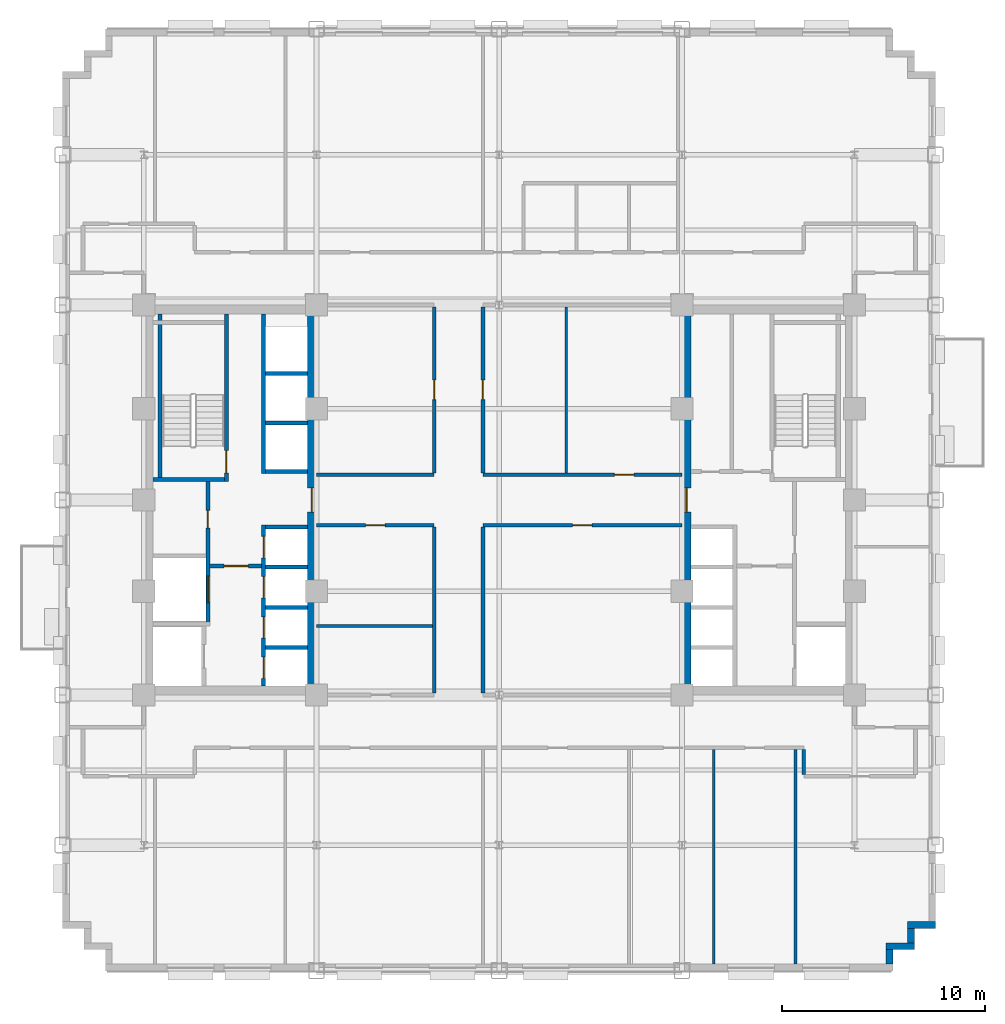
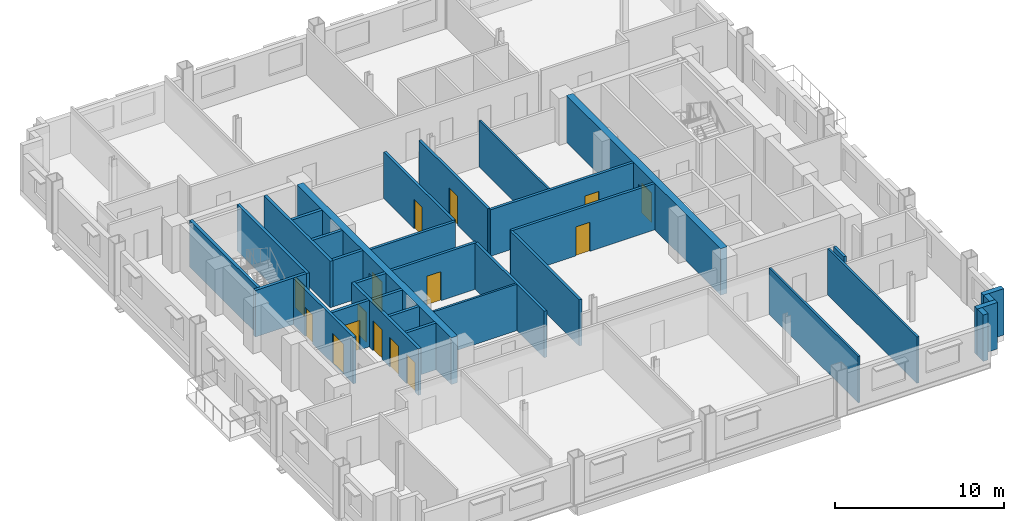
# One storey, part 7 of 14: 33 walls, 15 doors, 15 openings.
"""IFC4 building model written with IfcOpenShell, lengths in metres."""

from ifc_helpers import new_model, si_unit, direction, frame, frame_2d, origin, place, context, subcontext, project, spatial, rectangle, extrude, source, transform, mapped, material, layer, layer_set, type_object, type_shapes, element, fill, save


model = new_model("IFC4")

# Units and contexts
model_context = context("Model", 3, precision=1e-05, world=origin(), true_north=direction((0.0, 1.0)))
body_context = subcontext(model_context, "Body", "Model", "MODEL_VIEW")
ifc_project = project(units=[si_unit("LENGTHUNIT", "METRE"), si_unit("AREAUNIT", "SQUARE_METRE"), si_unit("VOLUMEUNIT", "CUBIC_METRE"), si_unit("PLANEANGLEUNIT", "RADIAN"), si_unit("MASSUNIT", "GRAM", prefix="KILO")], contexts=[model_context])

# Site, building, storey
site_placement = place(None, origin())
site = spatial("IfcSite", under=ifc_project, at=site_placement, CompositionType="ELEMENT")
building_placement = place(site_placement, origin())
building = spatial("IfcBuilding", under=site, at=building_placement, Name="Nuvemarco Arch Tower", CompositionType="ELEMENT")
storey_placement = place(building_placement, frame((0.0, 0.0, 56.800048828125)))
storey = spatial("IfcBuildingStorey", under=building, at=storey_placement, Name="L14", CompositionType="ELEMENT", Elevation=56.800048828125)

# Walls
ifc_material_1 = material(Name="Precast concrete C45/55", Category="concrete")
ifc_layer_1 = layer(ifc_material_1, 0.340087890625, Name="EW-LOW-340")
ifc_layer_set_1 = layer_set([ifc_layer_1], Name="Precast concrete C45/55")
wall_type_1 = type_object("IfcWallType", Name="EW-LOW-340", PredefinedType="STANDARD", material=ifc_layer_set_1)
wall_1_placement = place(storey_placement, frame((19.22998046875, -22.864013671875, 0.0), z_axis=(0.0, 0.0, 1.0), x_axis=(0.0, 1.0, 0.0)))
element("IfcWall", 1, at=wall_1_placement, inside=storey, type_object=wall_type_1, Name="L14 exterior precast facade wall 2", PredefinedType="STANDARD", context=body_context, shape_type="SweptSolid", body=[
    extrude(rectangle(XDim=0.718017578125, YDim=0.340087890625, at=frame_2d((0.35888671875, 0.0))), origin(), (0.0, 0.0, 1.0), 3.35986328125),
])
wall_2_placement = place(storey_placement, frame((19.06005859375, -21.97998046875, 0.0), z_axis=(0.0, 0.0, 1.0), x_axis=(1.0, 0.0, 0.0)))
element("IfcWall", 2, at=wall_2_placement, inside=storey, type_object=wall_type_1, Name="L14 exterior precast facade wall 3", PredefinedType="STANDARD", context=body_context, shape_type="SweptSolid", body=[
    extrude(rectangle(XDim=1.389892578125, YDim=0.340087890625, at=frame_2d((0.69482421875, 0.0))), origin(), (0.0, 0.0, 1.0), 3.35986328125),
])
wall_3_placement = place(storey_placement, frame((20.280029296875, -21.81396484375, 0.0), z_axis=(0.0, 0.0, 1.0), x_axis=(0.0, 1.0, 0.0)))
element("IfcWall", 3, at=wall_3_placement, inside=storey, type_object=wall_type_1, Name="L14 exterior precast facade wall 4", PredefinedType="STANDARD", context=body_context, shape_type="SweptSolid", body=[
    extrude(rectangle(XDim=0.718017578125, YDim=0.340087890625, at=frame_2d((0.35888671875, 0.0))), origin(), (0.0, 0.0, 1.0), 3.35986328125),
])
wall_4_placement = place(storey_placement, frame((20.110107421875, -20.929931640625, 0.0), z_axis=(0.0, 0.0, 1.0), x_axis=(1.0, 0.0, 0.0)))
element("IfcWall", 4, at=wall_4_placement, inside=storey, type_object=wall_type_1, Name="L14 exterior precast facade wall 5", PredefinedType="STANDARD", context=body_context, shape_type="SweptSolid", body=[
    extrude(rectangle(XDim=1.389892578125, YDim=0.340087890625, at=frame_2d((0.69482421875, 0.0))), origin(), (0.0, 0.0, 1.0), 3.35986328125),
])

# Wall, opening, door
ifc_material_2 = material(Name="Concrete C60/75", Category="concrete")
ifc_layer_2 = layer(ifc_material_2, 0.449951171875, Name="WL-CORE-450")
ifc_layer_set_2 = layer_set([ifc_layer_2], Name="Concrete C60/75")
wall_type_2 = type_object("IfcWallType", Name="WL-CORE-450", PredefinedType="SHEAR", material=ifc_layer_set_2)
wall_5_placement = place(storey_placement, frame((-9.22509765625, -9.155029296875, 0.0), z_axis=(0.0, 0.0, 1.0), x_axis=(0.0, 1.0, 0.0)))
wall_5 = element("IfcWall", 5, at=wall_5_placement, inside=storey, type_object=wall_type_2, Name="L14 W-core shear wall E", PredefinedType="SHEAR", context=body_context, shape_type="SweptSolid", body=[
    extrude(rectangle(XDim=18.31005859375, YDim=0.449951171875, at=frame_2d((9.155029296875, 0.0))), origin(), (0.0, 0.0, 1.0), 3.369873046875),
])
opening_1_placement = place(wall_5_placement, frame((8.554931640625, 0.0, 0.0)))
opening_1 = element("IfcOpeningElement", 6, at=opening_1_placement, cuts=wall_5, Name="Opening FD-2", PredefinedType="OPENING", context=body_context, shape_type="SweptSolid", body=[
    extrude(rectangle(XDim=1.199951171875, YDim=2.14990234375, at=frame_2d((0.60009765625, 1.074951171875))), frame((0.0, 0.23486328125, 0.0), z_axis=(0.0, -1.0, 0.0), x_axis=(1.0, 0.0, 0.0)), (0.0, 0.0, 1.0), 0.469970703125),
])
ifc_material_3 = material(Name="Anodised steel fire door", Category="steel")
door_type_1 = type_object("IfcDoorType", Name="DR-FFLOB-FD", OperationType="NOTDEFINED", PredefinedType="DOOR", material=ifc_material_3)
shared_shape_1 = source(origin(), body_context, "Body", "SweptSolid", [
    extrude(rectangle(XDim=1.199951171875, YDim=2.14990234375, at=frame_2d((0.60009765625, 1.074951171875))), frame((0.0, 0.02490234375, 0.0), z_axis=(0.0, -1.0, 0.0), x_axis=(1.0, 0.0, 0.0)), (0.0, 0.0, 1.0), 0.050048828125),
])
type_shapes(door_type_1, [shared_shape_1])
door_1_placement = place(opening_1_placement, origin())
door_1 = element("IfcDoor", 7, at=door_1_placement, inside=storey, type_object=door_type_1, Name="L14 door FD-L14-WCORE-E", OperationType="SINGLE_SWING_RIGHT", OverallHeight=2.14990234375, OverallWidth=1.199951171875, PredefinedType="DOOR", context=body_context, shape_type="MappedRepresentation", body=[
    mapped(shared_shape_1, transform((0.0, 0.0, 0.0), scale=1.0)),
])
fill(opening_1, door_1)

wall_6_placement = place(storey_placement, frame((9.22509765625, -9.155029296875, 0.0), z_axis=(0.0, 0.0, 1.0), x_axis=(0.0, 1.0, 0.0)))
wall_6 = element("IfcWall", 8, at=wall_6_placement, inside=storey, type_object=wall_type_2, Name="L14 E-core shear wall W", PredefinedType="SHEAR", context=body_context, shape_type="SweptSolid", body=[
    extrude(rectangle(XDim=18.31005859375, YDim=0.449951171875, at=frame_2d((9.155029296875, 0.0))), origin(), (0.0, 0.0, 1.0), 3.369873046875),
])
opening_2_placement = place(wall_6_placement, frame((8.554931640625, 0.0, 0.0)))
opening_2 = element("IfcOpeningElement", 9, at=opening_2_placement, cuts=wall_6, Name="Opening FD-2", PredefinedType="OPENING", context=body_context, shape_type="SweptSolid", body=[
    extrude(rectangle(XDim=1.199951171875, YDim=2.14990234375, at=frame_2d((0.60009765625, 1.074951171875))), frame((0.0, 0.23486328125, 0.0), z_axis=(0.0, -1.0, 0.0), x_axis=(1.0, 0.0, 0.0)), (0.0, 0.0, 1.0), 0.469970703125),
])
door_2_placement = place(opening_2_placement, origin())
door_2 = element("IfcDoor", 10, at=door_2_placement, inside=storey, type_object=door_type_1, Name="L14 door FD-L14-ECORE-W", OperationType="SINGLE_SWING_LEFT", OverallHeight=2.14990234375, OverallWidth=1.199951171875, PredefinedType="DOOR", context=body_context, shape_type="MappedRepresentation", body=[
    mapped(shared_shape_1, transform((0.0, 0.0, 0.0), scale=1.0)),
])
fill(opening_2, door_2)

ifc_material_4 = material(Name="Fire-rated gypsum drywall partition")
ifc_layer_3 = layer(ifc_material_4, 0.179931640625, Name="WL-CORR-180")
ifc_layer_set_3 = layer_set([ifc_layer_3], Name="Fire-rated gypsum drywall partition")
wall_type_3 = type_object("IfcWallType", Name="WL-CORR-180", PredefinedType="PARTITIONING", material=ifc_layer_set_3)
wall_7_placement = place(storey_placement, frame((-9.0, -1.25, 0.0), z_axis=(0.0, 0.0, 1.0), x_axis=(1.0, 0.0, 0.0)))
wall_7 = element("IfcWall", 11, at=wall_7_placement, inside=storey, type_object=wall_type_3, Name="L14 interior wall IW-L14-011", PredefinedType="PARTITIONING", context=body_context, shape_type="SweptSolid", body=[
    extrude(rectangle(XDim=5.800048828125, YDim=0.179931640625, at=frame_2d((2.89990234375, 0.0))), origin(), (0.0, 0.0, 1.0), 3.35986328125),
])
opening_3_placement = place(wall_7_placement, frame((2.419921875, 0.0, 0.0)))
opening_3 = element("IfcOpeningElement", 12, at=opening_3_placement, cuts=wall_7, Name="Opening FD-5", PredefinedType="OPENING", context=body_context, shape_type="SweptSolid", body=[
    extrude(rectangle(XDim=0.9599609375, YDim=2.10009765625, at=frame_2d((0.47998046875, 1.050048828125))), frame((0.0, 0.099853515625, 0.0), z_axis=(0.0, -1.0, 0.0), x_axis=(1.0, 0.0, 0.0)), (0.0, 0.0, 1.0), 0.199951171875),
])
ifc_material_5 = material(Name="Timber fire door", Category="wood")
door_type_2 = type_object("IfcDoorType", Name="DR-CORR-FD", OperationType="NOTDEFINED", PredefinedType="DOOR", material=ifc_material_5)
shared_shape_2 = source(origin(), body_context, "Body", "SweptSolid", [
    extrude(rectangle(XDim=0.9599609375, YDim=2.10009765625, at=frame_2d((0.47998046875, 1.050048828125))), frame((0.0, 0.02490234375, 0.0), z_axis=(0.0, -1.0, 0.0), x_axis=(1.0, 0.0, 0.0)), (0.0, 0.0, 1.0), 0.050048828125),
])
type_shapes(door_type_2, [shared_shape_2])
door_3_placement = place(opening_3_placement, origin())
door_3 = element("IfcDoor", 13, at=door_3_placement, inside=storey, type_object=door_type_2, Name="L14 door DR-L14-C_SW1", OperationType="SINGLE_SWING_LEFT", OverallHeight=2.10009765625, OverallWidth=0.9599609375, PredefinedType="DOOR", context=body_context, shape_type="MappedRepresentation", body=[
    mapped(shared_shape_2, transform((0.0, 0.0, 0.0), scale=1.0)),
])
fill(opening_3, door_3)

wall_8_placement = place(storey_placement, frame((-0.800048828125, -1.25, 0.0), z_axis=(0.0, 0.0, 1.0), x_axis=(1.0, 0.0, 0.0)))
wall_8 = element("IfcWall", 14, at=wall_8_placement, inside=storey, type_object=wall_type_3, Name="L14 interior wall IW-L14-012", PredefinedType="PARTITIONING", context=body_context, shape_type="SweptSolid", body=[
    extrude(rectangle(XDim=9.800048828125, YDim=0.179931640625, at=frame_2d((4.89990234375, 0.0))), origin(), (0.0, 0.0, 1.0), 3.35986328125),
])
opening_4_placement = place(wall_8_placement, frame((4.419921875, 0.0, 0.0)))
opening_4 = element("IfcOpeningElement", 15, at=opening_4_placement, cuts=wall_8, Name="Opening FD-5", PredefinedType="OPENING", context=body_context, shape_type="SweptSolid", body=[
    extrude(rectangle(XDim=0.9599609375, YDim=2.10009765625, at=frame_2d((0.47998046875, 1.050048828125))), frame((0.0, 0.099853515625, 0.0), z_axis=(0.0, -1.0, 0.0), x_axis=(1.0, 0.0, 0.0)), (0.0, 0.0, 1.0), 0.199951171875),
])
door_4_placement = place(opening_4_placement, origin())
door_4 = element("IfcDoor", 16, at=door_4_placement, inside=storey, type_object=door_type_2, Name="L14 door DR-L14-C_SE", OperationType="SINGLE_SWING_RIGHT", OverallHeight=2.10009765625, OverallWidth=0.9599609375, PredefinedType="DOOR", context=body_context, shape_type="MappedRepresentation", body=[
    mapped(shared_shape_2, transform((0.0, 0.0, 0.0), scale=1.0)),
])
fill(opening_4, door_4)

# Wall
wall_9_placement = place(storey_placement, frame((-9.0, 1.25, 0.0), z_axis=(0.0, 0.0, 1.0), x_axis=(1.0, 0.0, 0.0)))
element("IfcWall", 17, at=wall_9_placement, inside=storey, type_object=wall_type_3, Name="L14 interior wall IW-L14-013", PredefinedType="PARTITIONING", context=body_context, shape_type="SweptSolid", body=[
    extrude(rectangle(XDim=5.800048828125, YDim=0.179931640625, at=frame_2d((2.89990234375, 0.0))), origin(), (0.0, 0.0, 1.0), 3.35986328125),
])

# Wall, opening, door
wall_10_placement = place(storey_placement, frame((-0.800048828125, 1.25, 0.0), z_axis=(0.0, 0.0, 1.0), x_axis=(1.0, 0.0, 0.0)))
wall_10 = element("IfcWall", 18, at=wall_10_placement, inside=storey, type_object=wall_type_3, Name="L14 interior wall IW-L14-014", PredefinedType="PARTITIONING", context=body_context, shape_type="SweptSolid", body=[
    extrude(rectangle(XDim=9.800048828125, YDim=0.179931640625, at=frame_2d((4.89990234375, 0.0))), origin(), (0.0, 0.0, 1.0), 3.35986328125),
])
opening_5_placement = place(wall_10_placement, frame((6.469970703125, 0.0, 0.0)))
opening_5 = element("IfcOpeningElement", 19, at=opening_5_placement, cuts=wall_10, Name="Opening FD-5", PredefinedType="OPENING", context=body_context, shape_type="SweptSolid", body=[
    extrude(rectangle(XDim=0.9599609375, YDim=2.10009765625, at=frame_2d((0.47998046875, 1.050048828125))), frame((0.0, 0.099853515625, 0.0), z_axis=(0.0, -1.0, 0.0), x_axis=(1.0, 0.0, 0.0)), (0.0, 0.0, 1.0), 0.199951171875),
])
door_5_placement = place(opening_5_placement, origin())
door_5 = element("IfcDoor", 20, at=door_5_placement, inside=storey, type_object=door_type_2, Name="L14 door DR-L14-C_NE2", OperationType="SINGLE_SWING_RIGHT", OverallHeight=2.10009765625, OverallWidth=0.9599609375, PredefinedType="DOOR", context=body_context, shape_type="MappedRepresentation", body=[
    mapped(shared_shape_2, transform((0.0, 0.0, 0.0), scale=1.0)),
])
fill(opening_5, door_5)

# Wall
wall_11_placement = place(storey_placement, frame((-3.199951171875, -9.513916015625, 0.0), z_axis=(0.0, 0.0, 1.0), x_axis=(0.0, 1.0, 0.0)))
element("IfcWall", 21, at=wall_11_placement, inside=storey, type_object=wall_type_3, Name="L14 interior wall IW-L14-035", PredefinedType="PARTITIONING", context=body_context, shape_type="SweptSolid", body=[
    extrude(rectangle(XDim=8.177978515625, YDim=0.179931640625, at=frame_2d((4.0888671875, 0.0))), origin(), (0.0, 0.0, 1.0), 3.35986328125),
])

# Wall, opening, door
wall_12_placement = place(storey_placement, frame((-3.199951171875, 1.3359375, 0.0), z_axis=(0.0, 0.0, 1.0), x_axis=(0.0, 1.0, 0.0)))
wall_12 = element("IfcWall", 22, at=wall_12_placement, inside=storey, type_object=wall_type_3, Name="L14 interior wall IW-L14-036", PredefinedType="PARTITIONING", context=body_context, shape_type="SweptSolid", body=[
    extrude(rectangle(XDim=8.177978515625, YDim=0.179931640625, at=frame_2d((4.0888671875, 0.0))), origin(), (0.0, 0.0, 1.0), 3.35986328125),
])
opening_6_placement = place(wall_12_placement, frame((3.60888671875, 0.0, 0.0)))
opening_6 = element("IfcOpeningElement", 23, at=opening_6_placement, cuts=wall_12, Name="Opening FD-5", PredefinedType="OPENING", context=body_context, shape_type="SweptSolid", body=[
    extrude(rectangle(XDim=0.9599609375, YDim=2.10009765625, at=frame_2d((0.47998046875, 1.050048828125))), frame((0.0, 0.099853515625, 0.0), z_axis=(0.0, -1.0, 0.0), x_axis=(1.0, 0.0, 0.0)), (0.0, 0.0, 1.0), 0.199951171875),
])
door_6_placement = place(opening_6_placement, origin())
door_6 = element("IfcDoor", 24, at=door_6_placement, inside=storey, type_object=door_type_2, Name="L14 door DR-L14-C_NW", OperationType="SINGLE_SWING_LEFT", OverallHeight=2.10009765625, OverallWidth=0.9599609375, PredefinedType="DOOR", context=body_context, shape_type="MappedRepresentation", body=[
    mapped(shared_shape_2, transform((0.0, 0.0, 0.0), scale=1.0)),
])
fill(opening_6, door_6)

# Wall
wall_13_placement = place(storey_placement, frame((-0.800048828125, -9.513916015625, 0.0), z_axis=(0.0, 0.0, 1.0), x_axis=(0.0, 1.0, 0.0)))
element("IfcWall", 25, at=wall_13_placement, inside=storey, type_object=wall_type_3, Name="L14 interior wall IW-L14-038", PredefinedType="PARTITIONING", context=body_context, shape_type="SweptSolid", body=[
    extrude(rectangle(XDim=8.177978515625, YDim=0.179931640625, at=frame_2d((4.0888671875, 0.0))), origin(), (0.0, 0.0, 1.0), 3.35986328125),
])

# Wall, opening, door
wall_14_placement = place(storey_placement, frame((-0.800048828125, 1.3359375, 0.0), z_axis=(0.0, 0.0, 1.0), x_axis=(0.0, 1.0, 0.0)))
wall_14 = element("IfcWall", 26, at=wall_14_placement, inside=storey, type_object=wall_type_3, Name="L14 interior wall IW-L14-039", PredefinedType="PARTITIONING", context=body_context, shape_type="SweptSolid", body=[
    extrude(rectangle(XDim=8.177978515625, YDim=0.179931640625, at=frame_2d((4.0888671875, 0.0))), origin(), (0.0, 0.0, 1.0), 3.35986328125),
])
opening_7_placement = place(wall_14_placement, frame((3.60888671875, 0.0, 0.0)))
opening_7 = element("IfcOpeningElement", 27, at=opening_7_placement, cuts=wall_14, Name="Opening FD-5", PredefinedType="OPENING", context=body_context, shape_type="SweptSolid", body=[
    extrude(rectangle(XDim=0.9599609375, YDim=2.10009765625, at=frame_2d((0.47998046875, 1.050048828125))), frame((0.0, 0.099853515625, 0.0), z_axis=(0.0, -1.0, 0.0), x_axis=(1.0, 0.0, 0.0)), (0.0, 0.0, 1.0), 0.199951171875),
])
door_7_placement = place(opening_7_placement, origin())
door_7 = element("IfcDoor", 28, at=door_7_placement, inside=storey, type_object=door_type_2, Name="L14 door DR-L14-C_NE1", OperationType="SINGLE_SWING_RIGHT", OverallHeight=2.10009765625, OverallWidth=0.9599609375, PredefinedType="DOOR", context=body_context, shape_type="MappedRepresentation", body=[
    mapped(shared_shape_2, transform((0.0, 0.0, 0.0), scale=1.0)),
])
fill(opening_7, door_7)

# Walls
wall_15_placement = place(storey_placement, frame((15.0, -13.513916015625, 0.0), z_axis=(0.0, 0.0, 1.0), x_axis=(0.0, 1.0, 0.0)))
element("IfcWall", 29, at=wall_15_placement, inside=storey, type_object=wall_type_3, Name="L14 interior wall IW-L14-050", PredefinedType="PARTITIONING", context=body_context, shape_type="SweptSolid", body=[
    extrude(rectangle(XDim=1.22802734375, YDim=0.179931640625, at=frame_2d((0.614013671875, 0.0))), origin(), (0.0, 0.0, 1.0), 3.35986328125),
])
ifc_material_6 = material(Name="Glazed acoustic office partition")
ifc_layer_4 = layer(ifc_material_6, 0.1298828125, Name="WL-EXEC-130")
ifc_layer_set_4 = layer_set([ifc_layer_4], Name="Glazed acoustic office partition")
wall_type_4 = type_object("IfcWallType", Name="WL-EXEC-130", PredefinedType="PARTITIONING", material=ifc_layer_set_4)
wall_16_placement = place(storey_placement, frame((3.300048828125, 1.3359375, 0.0), z_axis=(0.0, 0.0, 1.0), x_axis=(0.0, 1.0, 0.0)))
element("IfcWall", 30, at=wall_16_placement, inside=storey, type_object=wall_type_4, Name="L14 interior wall IW-L14-042", PredefinedType="PARTITIONING", context=body_context, shape_type="SweptSolid", body=[
    extrude(rectangle(XDim=8.177978515625, YDim=0.1298828125, at=frame_2d((4.0888671875, 0.0))), origin(), (0.0, 0.0, 1.0), 3.35986328125),
])
ifc_material_7 = material(Name="Gypsum plasterboard partition")
ifc_layer_5 = layer(ifc_material_7, 0.139892578125, Name="WL-ROOM-140")
ifc_layer_set_5 = layer_set([ifc_layer_5], Name="Gypsum plasterboard partition")
wall_type_5 = type_object("IfcWallType", Name="WL-ROOM-140", PredefinedType="PARTITIONING", material=ifc_layer_set_5)
wall_17_placement = place(storey_placement, frame((-9.0, -6.199951171875, 0.0), z_axis=(0.0, 0.0, 1.0), x_axis=(1.0, 0.0, 0.0)))
element("IfcWall", 31, at=wall_17_placement, inside=storey, type_object=wall_type_5, Name="L14 interior wall IW-L14-009", PredefinedType="PARTITIONING", context=body_context, shape_type="SweptSolid", body=[
    extrude(rectangle(XDim=5.714111328125, YDim=0.139892578125, at=frame_2d((2.85693359375, 0.0))), origin(), (0.0, 0.0, 1.0), 3.35986328125),
])
for number, where, z_axis, x_axis, name in (
    (32, (10.570068359375, -22.860107421875, 0.0), (0.0, 0.0, 1.0), (0.0, 1.0, 0.0), "L14 interior wall IW-L14-048"),
    (33, (14.590087890625, -22.860107421875, 0.0), (0.0, 0.0, 1.0), (0.0, 1.0, 0.0), "L14 interior wall IW-L14-049"),
):
    element("IfcWall", number, at=place(storey_placement, frame(where, z_axis=z_axis, x_axis=x_axis)), inside=storey, type_object=wall_type_5, Name=name, PredefinedType="PARTITIONING", context=body_context, shape_type="SweptSolid", body=[
        extrude(rectangle(XDim=10.57421875, YDim=0.139892578125, at=frame_2d((5.287109375, 0.0))), origin(), (0.0, 0.0, 1.0), 3.35986328125),
    ])

# Wall, opening, door
ifc_material_8 = material(Name="Concrete C50/60", Category="concrete")
ifc_layer_6 = layer(ifc_material_8, 0.199951171875, Name="WL-SHAFT-220")
ifc_layer_set_6 = layer_set([ifc_layer_6], Name="Concrete C50/60")
wall_type_6 = type_object("IfcWallType", Name="WL-SHAFT-220", PredefinedType="SHEAR", material=ifc_layer_set_6)
wall_18_placement = place(storey_placement, frame((-13.43994140625, 0.89990234375, 0.0), z_axis=(0.0, 0.0, 1.0), x_axis=(0.0, 1.0, 0.0)))
wall_18 = element("IfcWall", 34, at=wall_18_placement, inside=storey, type_object=wall_type_6, Name="L14 structural shaft wall SW-L14-W-ST1E", PredefinedType="SHEAR", context=body_context, shape_type="SweptSolid", body=[
    extrude(rectangle(XDim=8.255126953125, YDim=0.199951171875, at=frame_2d((4.12744140625, 0.0))), origin(), (0.0, 0.0, 1.0), 3.369873046875),
])
opening_8_placement = place(wall_18_placement, frame((1.530029296875, 0.0, 0.0), z_axis=(0.0, 0.0, 1.0), x_axis=(-1.0, 0.0, 0.0)))
opening_8 = element("IfcOpeningElement", 35, at=opening_8_placement, cuts=wall_18, Name="Opening FD-1", PredefinedType="OPENING", context=body_context, shape_type="SweptSolid", body=[
    extrude(rectangle(XDim=1.10009765625, YDim=2.14990234375, at=frame_2d((0.550048828125, 1.074951171875))), frame((0.0, 0.10986328125, 0.0), z_axis=(0.0, -1.0, 0.0), x_axis=(1.0, 0.0, 0.0)), (0.0, 0.0, 1.0), 0.219970703125),
])
door_type_3 = type_object("IfcDoorType", Name="DR-STAIR-FD", OperationType="NOTDEFINED", PredefinedType="DOOR", material=ifc_material_3)
shared_shape_3 = source(origin(), body_context, "Body", "SweptSolid", [
    extrude(rectangle(XDim=1.10009765625, YDim=2.14990234375, at=frame_2d((0.550048828125, 1.074951171875))), frame((0.0, 0.02490234375, 0.0), z_axis=(0.0, -1.0, 0.0), x_axis=(1.0, 0.0, 0.0)), (0.0, 0.0, 1.0), 0.050048828125),
])
type_shapes(door_type_3, [shared_shape_3])
door_8_placement = place(opening_8_placement, origin())
door_8 = element("IfcDoor", 36, at=door_8_placement, inside=storey, type_object=door_type_3, Name="L14 door FD-L14-ST1", OperationType="SINGLE_SWING_RIGHT", OverallHeight=2.14990234375, OverallWidth=1.10009765625, PredefinedType="DOOR", context=body_context, shape_type="MappedRepresentation", body=[
    mapped(shared_shape_3, transform((0.0, 0.0, 0.0), scale=1.0)),
])
fill(opening_8, door_8)

# Walls
wall_19_placement = place(storey_placement, frame((-17.054931640625, 1.0, 0.0), z_axis=(0.0, 0.0, 1.0), x_axis=(1.0, 0.0, 0.0)))
element("IfcWall", 37, at=wall_19_placement, inside=storey, type_object=wall_type_6, Name="L14 structural shaft wall SW-L14-W-ST1S", PredefinedType="SHEAR", context=body_context, shape_type="SweptSolid", body=[
    extrude(rectangle(XDim=3.52001953125, YDim=0.199951171875, at=frame_2d((1.760009765625, 0.0))), origin(), (0.0, 0.0, 1.0), 3.369873046875),
])
wall_20_placement = place(storey_placement, frame((-16.699951171875, 1.094970703125, 0.0), z_axis=(0.0, 0.0, 1.0), x_axis=(0.0, 1.0, 0.0)))
element("IfcWall", 38, at=wall_20_placement, inside=storey, type_object=wall_type_6, Name="L14 structural shaft wall SW-L14-W-ST1W", PredefinedType="SHEAR", context=body_context, shape_type="SweptSolid", body=[
    extrude(rectangle(XDim=8.06005859375, YDim=0.199951171875, at=frame_2d((4.030029296875, 0.0))), origin(), (0.0, 0.0, 1.0), 3.369873046875),
])

# Wall, openings, doors
wall_21_placement = place(storey_placement, frame((-14.35009765625, -6.199951171875, 0.0), z_axis=(0.0, 0.0, 1.0), x_axis=(0.0, 1.0, 0.0)))
wall_21 = element("IfcWall", 39, at=wall_21_placement, inside=storey, type_object=wall_type_6, Name="L14 structural shaft wall SW-L14-W-SVE", PredefinedType="SHEAR", context=body_context, shape_type="SweptSolid", body=[
    extrude(rectangle(XDim=7.10498046875, YDim=0.199951171875, at=frame_2d((3.552490234375, 0.0))), origin(), (0.0, 0.0, 1.0), 3.369873046875),
])
opening_9_placement = place(wall_21_placement, frame((5.68994140625, 0.0, 0.0), z_axis=(0.0, 0.0, 1.0), x_axis=(-1.0, 0.0, 0.0)))
opening_9 = element("IfcOpeningElement", 40, at=opening_9_placement, cuts=wall_21, Name="Opening FD-4", PredefinedType="OPENING", context=body_context, shape_type="SweptSolid", body=[
    extrude(rectangle(XDim=0.8798828125, YDim=2.10009765625, at=frame_2d((0.43994140625, 1.050048828125))), frame((0.0, 0.10986328125, 0.0), z_axis=(0.0, -1.0, 0.0), x_axis=(1.0, 0.0, 0.0)), (0.0, 0.0, 1.0), 0.219970703125),
])
opening_10_placement = place(wall_21_placement, frame((1.14990234375, 0.0, 0.0)))
opening_10 = element("IfcOpeningElement", 41, at=opening_10_placement, cuts=wall_21, Name="Opening LD-3", PredefinedType="OPENING", context=body_context, shape_type="SweptSolid", body=[
    extrude(rectangle(XDim=1.300048828125, YDim=2.199951171875, at=frame_2d((0.64990234375, 1.10009765625))), frame((0.0, 0.10986328125, 0.0), z_axis=(0.0, -1.0, 0.0), x_axis=(1.0, 0.0, 0.0)), (0.0, 0.0, 1.0), 0.219970703125),
])
door_type_4 = type_object("IfcDoorType", Name="DR-RISER-FD", OperationType="NOTDEFINED", PredefinedType="DOOR", material=ifc_material_3)
shared_shape_4 = source(origin(), body_context, "Body", "SweptSolid", [
    extrude(rectangle(XDim=0.8798828125, YDim=2.10009765625, at=frame_2d((0.43994140625, 1.050048828125))), frame((0.0, 0.02490234375, 0.0), z_axis=(0.0, -1.0, 0.0), x_axis=(1.0, 0.0, 0.0)), (0.0, 0.0, 1.0), 0.050048828125),
])
type_shapes(door_type_4, [shared_shape_4])
door_9_placement = place(opening_9_placement, origin())
door_9 = element("IfcDoor", 42, at=door_9_placement, inside=storey, type_object=door_type_4, Name="L14 door FD-L14-WRIS", OperationType="SINGLE_SWING_RIGHT", OverallHeight=2.10009765625, OverallWidth=0.8798828125, PredefinedType="DOOR", context=body_context, shape_type="MappedRepresentation", body=[
    mapped(shared_shape_4, transform((0.0, 0.0, 0.0), scale=1.0)),
])
fill(opening_9, door_9)
ifc_material_9 = material(Name="Stainless steel lift door", Category="steel")
door_type_5 = type_object("IfcDoorType", Name="DR-LIFT-SERV", OperationType="DOUBLE_DOOR_SLIDING", PredefinedType="DOOR", material=ifc_material_9)
shared_shape_5 = source(origin(), body_context, "Body", "SweptSolid", [
    extrude(rectangle(XDim=1.300048828125, YDim=2.199951171875, at=frame_2d((0.64990234375, 1.10009765625))), frame((0.0, 0.02490234375, 0.0), z_axis=(0.0, -1.0, 0.0), x_axis=(1.0, 0.0, 0.0)), (0.0, 0.0, 1.0), 0.050048828125),
])
type_shapes(door_type_5, [shared_shape_5])
door_10_placement = place(opening_10_placement, origin())
door_10 = element("IfcDoor", 43, at=door_10_placement, inside=storey, type_object=door_type_5, Name="L14 Lift landing sliding door SVL-1", OperationType="DOUBLE_DOOR_SLIDING", OverallHeight=2.199951171875, OverallWidth=1.300048828125, PredefinedType="DOOR", context=body_context, shape_type="MappedRepresentation", body=[
    mapped(shared_shape_5, transform((0.0, 0.0, 0.0), scale=1.0)),
])
fill(opening_10, door_10)

wall_22_placement = place(storey_placement, frame((-11.60009765625, -9.155029296875, 0.0), z_axis=(0.0, 0.0, 1.0), x_axis=(0.0, 1.0, 0.0)))
wall_22 = element("IfcWall", 44, at=wall_22_placement, inside=storey, type_object=wall_type_6, Name="L14 structural shaft wall SW-L14-W-PLW", PredefinedType="SHEAR", context=body_context, shape_type="SweptSolid", body=[
    extrude(rectangle(XDim=7.925048828125, YDim=0.199951171875, at=frame_2d((3.96240234375, 0.0))), origin(), (0.0, 0.0, 1.0), 3.369873046875),
])
opening_11_placement = place(wall_22_placement, frame((0.3701171875, 0.0, 0.0)))
opening_11 = element("IfcOpeningElement", 45, at=opening_11_placement, cuts=wall_22, Name="Opening LD-1", PredefinedType="OPENING", context=body_context, shape_type="SweptSolid", body=[
    extrude(rectangle(XDim=1.050048828125, YDim=2.14990234375, at=frame_2d((0.52490234375, 1.074951171875))), frame((0.0, 0.10986328125, 0.0), z_axis=(0.0, -1.0, 0.0), x_axis=(1.0, 0.0, 0.0)), (0.0, 0.0, 1.0), 0.219970703125),
])
opening_12_placement = place(wall_22_placement, frame((2.35009765625, 0.0, 0.0)))
opening_12 = element("IfcOpeningElement", 46, at=opening_12_placement, cuts=wall_22, Name="Opening LD-1", PredefinedType="OPENING", context=body_context, shape_type="SweptSolid", body=[
    extrude(rectangle(XDim=1.050048828125, YDim=2.14990234375, at=frame_2d((0.52490234375, 1.074951171875))), frame((0.0, 0.10986328125, 0.0), z_axis=(0.0, -1.0, 0.0), x_axis=(1.0, 0.0, 0.0)), (0.0, 0.0, 1.0), 0.219970703125),
])
opening_13_placement = place(wall_22_placement, frame((4.330078125, 0.0, 0.0)))
opening_13 = element("IfcOpeningElement", 47, at=opening_13_placement, cuts=wall_22, Name="Opening LD-1", PredefinedType="OPENING", context=body_context, shape_type="SweptSolid", body=[
    extrude(rectangle(XDim=1.050048828125, YDim=2.14990234375, at=frame_2d((0.52490234375, 1.074951171875))), frame((0.0, 0.10986328125, 0.0), z_axis=(0.0, -1.0, 0.0), x_axis=(1.0, 0.0, 0.0)), (0.0, 0.0, 1.0), 0.219970703125),
])
opening_14_placement = place(wall_22_placement, frame((6.31005859375, 0.0, 0.0)))
opening_14 = element("IfcOpeningElement", 48, at=opening_14_placement, cuts=wall_22, Name="Opening LD-1", PredefinedType="OPENING", context=body_context, shape_type="SweptSolid", body=[
    extrude(rectangle(XDim=1.050048828125, YDim=2.14990234375, at=frame_2d((0.52490234375, 1.074951171875))), frame((0.0, 0.10986328125, 0.0), z_axis=(0.0, -1.0, 0.0), x_axis=(1.0, 0.0, 0.0)), (0.0, 0.0, 1.0), 0.219970703125),
])
door_type_6 = type_object("IfcDoorType", Name="DR-LIFT-PASS", OperationType="DOUBLE_DOOR_SLIDING", PredefinedType="DOOR", material=ifc_material_9)
shared_shape_6 = source(origin(), body_context, "Body", "SweptSolid", [
    extrude(rectangle(XDim=1.050048828125, YDim=2.14990234375, at=frame_2d((0.52490234375, 1.074951171875))), frame((0.0, 0.02490234375, 0.0), z_axis=(0.0, -1.0, 0.0), x_axis=(1.0, 0.0, 0.0)), (0.0, 0.0, 1.0), 0.050048828125),
])
type_shapes(door_type_6, [shared_shape_6])
door_11_placement = place(opening_11_placement, origin())
door_11 = element("IfcDoor", 49, at=door_11_placement, inside=storey, type_object=door_type_6, Name="L14 Lift landing sliding door PL-1", OperationType="DOUBLE_DOOR_SLIDING", OverallHeight=2.14990234375, OverallWidth=1.050048828125, PredefinedType="DOOR", context=body_context, shape_type="MappedRepresentation", body=[
    mapped(shared_shape_6, transform((0.0, 0.0, 0.0), scale=1.0)),
])
fill(opening_11, door_11)
door_12_placement = place(opening_12_placement, origin())
door_12 = element("IfcDoor", 50, at=door_12_placement, inside=storey, type_object=door_type_6, Name="L14 Lift landing sliding door PL-2", OperationType="DOUBLE_DOOR_SLIDING", OverallHeight=2.14990234375, OverallWidth=1.050048828125, PredefinedType="DOOR", context=body_context, shape_type="MappedRepresentation", body=[
    mapped(shared_shape_6, transform((0.0, 0.0, 0.0), scale=1.0)),
])
fill(opening_12, door_12)
door_13_placement = place(opening_13_placement, origin())
door_13 = element("IfcDoor", 51, at=door_13_placement, inside=storey, type_object=door_type_6, Name="L14 Lift landing sliding door PL-3", OperationType="DOUBLE_DOOR_SLIDING", OverallHeight=2.14990234375, OverallWidth=1.050048828125, PredefinedType="DOOR", context=body_context, shape_type="MappedRepresentation", body=[
    mapped(shared_shape_6, transform((0.0, 0.0, 0.0), scale=1.0)),
])
fill(opening_13, door_13)
door_14_placement = place(opening_14_placement, origin())
door_14 = element("IfcDoor", 52, at=door_14_placement, inside=storey, type_object=door_type_6, Name="L14 Lift landing sliding door PL-4", OperationType="DOUBLE_DOOR_SLIDING", OverallHeight=2.14990234375, OverallWidth=1.050048828125, PredefinedType="DOOR", context=body_context, shape_type="MappedRepresentation", body=[
    mapped(shared_shape_6, transform((0.0, 0.0, 0.0), scale=1.0)),
])
fill(opening_14, door_14)

# Wall, opening, door
wall_23_placement = place(storey_placement, frame((-14.2548828125, -3.25, 0.0), z_axis=(0.0, 0.0, 1.0), x_axis=(1.0, 0.0, 0.0)))
wall_23 = element("IfcWall", 53, at=wall_23_placement, inside=storey, type_object=wall_type_6, Name="L14 structural shaft wall SW-L14-W-FFN", PredefinedType="SHEAR", context=body_context, shape_type="SweptSolid", body=[
    extrude(rectangle(XDim=2.559814453125, YDim=0.199951171875, at=frame_2d((1.27978515625, 0.0))), origin(), (0.0, 0.0, 1.0), 3.369873046875),
])
opening_15_placement = place(wall_23_placement, frame((0.705078125, 0.0, 0.0)))
opening_15 = element("IfcOpeningElement", 54, at=opening_15_placement, cuts=wall_23, Name="Opening FD-2", PredefinedType="OPENING", context=body_context, shape_type="SweptSolid", body=[
    extrude(rectangle(XDim=1.199951171875, YDim=2.14990234375, at=frame_2d((0.60009765625, 1.074951171875))), frame((0.0, 0.10986328125, 0.0), z_axis=(0.0, -1.0, 0.0), x_axis=(1.0, 0.0, 0.0)), (0.0, 0.0, 1.0), 0.219970703125),
])
door_15_placement = place(opening_15_placement, origin())
door_15 = element("IfcDoor", 55, at=door_15_placement, inside=storey, type_object=door_type_1, Name="L14 door FD-L14-WFF1", OperationType="SINGLE_SWING_RIGHT", OverallHeight=2.14990234375, OverallWidth=1.199951171875, PredefinedType="DOOR", context=body_context, shape_type="MappedRepresentation", body=[
    mapped(shared_shape_1, transform((0.0, 0.0, 0.0), scale=1.0)),
])
fill(opening_15, door_15)

# Walls
for number, where, z_axis, x_axis, name in (
    (56, (-11.5048828125, -7.27001953125, 0.0), (0.0, 0.0, 1.0), (1.0, 0.0, 0.0), "L14 structural shaft wall SW-L14-W-PLD1"),
    (57, (-11.5048828125, -5.2900390625, 0.0), (0.0, 0.0, 1.0), (1.0, 0.0, 0.0), "L14 structural shaft wall SW-L14-W-PLD2"),
    (58, (-11.5048828125, -3.31005859375, 0.0), (0.0, 0.0, 1.0), (1.0, 0.0, 0.0), "L14 structural shaft wall SW-L14-W-PLD3"),
    (59, (-11.5048828125, -1.330078125, 0.0), (0.0, 0.0, 1.0), (1.0, 0.0, 0.0), "L14 structural shaft wall SW-L14-W-PLD4"),
):
    element("IfcWall", number, at=place(storey_placement, frame(where, z_axis=z_axis, x_axis=x_axis)), inside=storey, type_object=wall_type_6, Name=name, PredefinedType="SHEAR", context=body_context, shape_type="SweptSolid", body=[
        extrude(rectangle(XDim=2.059814453125, YDim=0.199951171875, at=frame_2d((1.02978515625, 0.0))), origin(), (0.0, 0.0, 1.0), 3.369873046875),
    ])
wall_24_placement = place(storey_placement, frame((-11.60009765625, 1.300048828125, 0.0), z_axis=(0.0, 0.0, 1.0), x_axis=(0.0, 1.0, 0.0)))
element("IfcWall", 60, at=wall_24_placement, inside=storey, type_object=wall_type_6, Name="L14 structural shaft wall SW-L14-W-PHW", PredefinedType="SHEAR", context=body_context, shape_type="SweptSolid", body=[
    extrude(rectangle(XDim=7.85498046875, YDim=0.199951171875, at=frame_2d((3.927490234375, 0.0))), origin(), (0.0, 0.0, 1.0), 3.369873046875),
])
for number, where, z_axis, x_axis, name in (
    (61, (-11.5048828125, 1.39990234375, 0.0), (0.0, 0.0, 1.0), (1.0, 0.0, 0.0), "L14 structural shaft wall SW-L14-W-PHD1"),
    (62, (-11.5048828125, 3.800048828125, 0.0), (0.0, 0.0, 1.0), (1.0, 0.0, 0.0), "L14 structural shaft wall SW-L14-W-PHD2"),
    (63, (-11.5048828125, 6.219970703125, 0.0), (0.0, 0.0, 1.0), (1.0, 0.0, 0.0), "L14 structural shaft wall SW-L14-W-PHD3"),
):
    element("IfcWall", number, at=place(storey_placement, frame(where, z_axis=z_axis, x_axis=x_axis)), inside=storey, type_object=wall_type_6, Name=name, PredefinedType="SHEAR", context=body_context, shape_type="SweptSolid", body=[
        extrude(rectangle(XDim=2.059814453125, YDim=0.199951171875, at=frame_2d((1.02978515625, 0.0))), origin(), (0.0, 0.0, 1.0), 3.369873046875),
    ])

save(model, "model.ifc")
